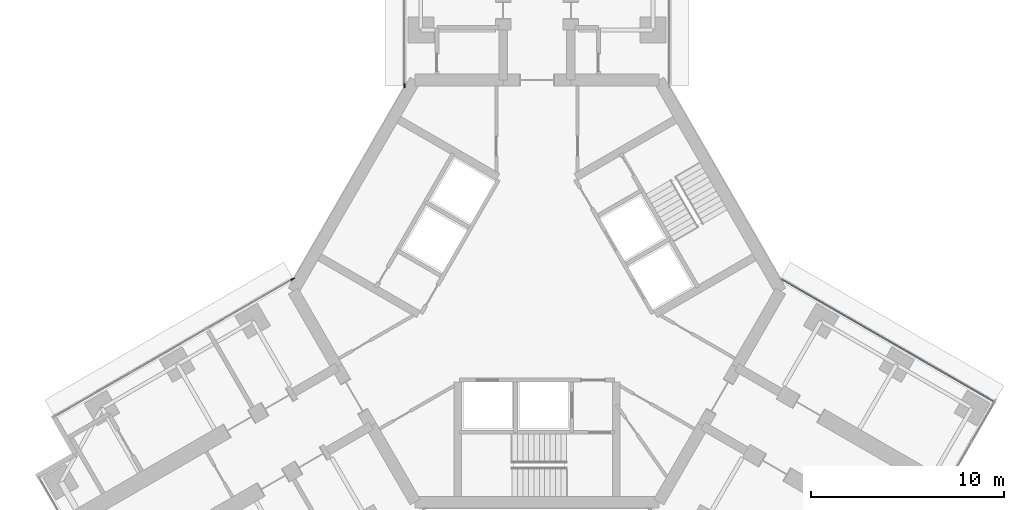
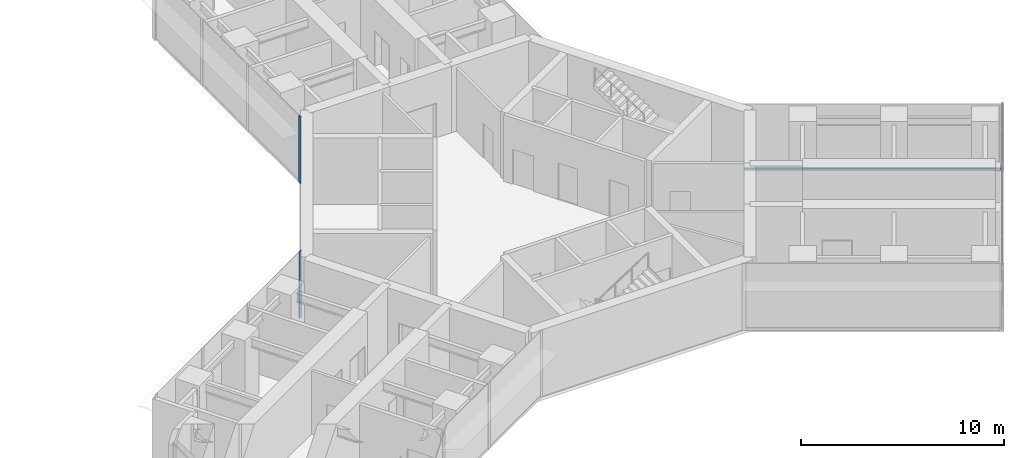
# One storey, part 9 of 21: 3 members, 3 elements without a shape of their own.
"""IFC4 building model written with IfcOpenShell, lengths in metres."""

from ifc_helpers import new_model, si_unit, direction, frame, origin, origin_2d, place, context, subcontext, project, spatial, rectangle, extrude, material, material_profile, profile_set, type_object, element, aggregate, save


model = new_model("IFC4")

# Units and contexts
model_context = context("Model", 3, precision=1e-05, world=origin(), true_north=direction((0.0, 1.0)))
body_context = subcontext(model_context, "Body", "Model", "MODEL_VIEW")
ifc_project = project(units=[si_unit("LENGTHUNIT", "METRE"), si_unit("AREAUNIT", "SQUARE_METRE"), si_unit("VOLUMEUNIT", "CUBIC_METRE"), si_unit("PLANEANGLEUNIT", "RADIAN"), si_unit("MASSUNIT", "GRAM", prefix="KILO")], contexts=[model_context])

# Site, building, storey
site_placement = place(None, origin())
site = spatial("IfcSite", under=ifc_project, at=site_placement, CompositionType="ELEMENT")
building_placement = place(site_placement, origin())
building = spatial("IfcBuilding", under=site, at=building_placement, Name="Upepo Twin Towers", CompositionType="ELEMENT")
storey_placement = place(building_placement, frame((0.0, 0.0, 117.5)))
storey = spatial("IfcBuildingStorey", under=building, at=storey_placement, Name="L28", CompositionType="ELEMENT", Elevation=117.5)

# Curtain wall, member
ifc_material_1 = material(Name="Aluminium and fritted glass", Category="aluminium")
curtain_wall_type = type_object("IfcCurtainWallType", Name="Tower curtain wall TW2, fritted glass", PredefinedType="NOTDEFINED", material=ifc_material_1)
curtain_wall_1_placement = place(storey_placement, origin())
curtain_wall_1 = element("IfcCurtainWall", 1, at=curtain_wall_1_placement, inside=storey, type_object=curtain_wall_type, Name="T2 L28 wing A flank L curtain wall", PredefinedType="NOTDEFINED")
ifc_material_2 = material(Name="Aluminium mullion", Category="aluminium")
ifc_material_profile_1 = material_profile(ifc_material_2, rectangle(XDim=0.06494140625, YDim=0.199951171875, at=origin_2d()), Name="MULLION 65x200")
ifc_profile_set_1 = profile_set([ifc_material_profile_1], Name="Aluminium mullion")
member_type_1 = type_object("IfcMemberType", Name="Mullion 65x200 TW2", PredefinedType="MULLION", material=ifc_profile_set_1)
member_1_placement = place(storey_placement, frame((51.64990234375, -7.38037109375, 0.0), z_axis=(0.0, 0.0, 1.0), x_axis=(-1.0, 0.0, 0.0)))
member_1 = element("IfcMember", 2, at=member_1_placement, type_object=member_type_1, Name="T2 L28 wing A flank L curtain wall mullion 1", PredefinedType="MULLION", context=body_context, shape_type="SweptSolid", body=[
    extrude(rectangle(XDim=0.06494140625, YDim=0.199951171875, at=origin_2d()), origin(), (0.0, 0.0, 1.0), 4.0),
])
aggregate(curtain_wall_1, [member_1])

curtain_wall_2_placement = place(storey_placement, origin())
curtain_wall_2 = element("IfcCurtainWall", 3, at=curtain_wall_2_placement, inside=storey, type_object=curtain_wall_type, Name="T2 L28 wing B flank R curtain wall", PredefinedType="NOTDEFINED")
member_2_placement = place(storey_placement, frame((45.878173828125, -17.37744140625, 0.0), z_axis=(0.0, 0.0, 1.0), x_axis=(-0.500000010308, 0.866025397833, 0.0)))
member_2 = element("IfcMember", 4, at=member_2_placement, type_object=member_type_1, Name="T2 L28 wing B flank R curtain wall mullion 4", PredefinedType="MULLION", context=body_context, shape_type="SweptSolid", body=[
    extrude(rectangle(XDim=0.06494140625, YDim=0.199951171875, at=origin_2d()), origin(), (0.0, 0.0, 1.0), 4.0),
])
aggregate(curtain_wall_2, [member_2])

curtain_wall_3_placement = place(storey_placement, origin())
curtain_wall_3 = element("IfcCurtainWall", 5, at=curtain_wall_3_placement, inside=storey, type_object=curtain_wall_type, Name="T2 L28 wing C flank L curtain wall", PredefinedType="NOTDEFINED")
ifc_material_3 = material(Name="Aluminium transom", Category="aluminium")
ifc_material_profile_2 = material_profile(ifc_material_3, rectangle(XDim=0.06494140625, YDim=0.14990234375, at=origin_2d()), Name="TRANSOM 65x150")
ifc_profile_set_2 = profile_set([ifc_material_profile_2], Name="Aluminium transom")
member_type_2 = type_object("IfcMemberType", Name="Transom 65x150 TW2", PredefinedType="USERDEFINED", material=ifc_profile_set_2)
member_3_placement = place(storey_placement, frame((71.14990234375, -17.393798828125, 0.074951171875), z_axis=(0.866027247007, -0.499996807431, 0.0), x_axis=(0.499996807431, 0.866027247007, 0.0)))
member_3 = element("IfcMember", 6, at=member_3_placement, type_object=member_type_2, Name="T2 L28 wing C flank L curtain wall transom 1", ObjectType="TRANSOM", PredefinedType="USERDEFINED", context=body_context, shape_type="SweptSolid", body=[
    extrude(rectangle(XDim=0.06494140625, YDim=0.14990234375, at=origin_2d()), origin(), (0.0, 0.0, 1.0), 12.6328125),
])
aggregate(curtain_wall_3, [member_3])

save(model, "model.ifc")
